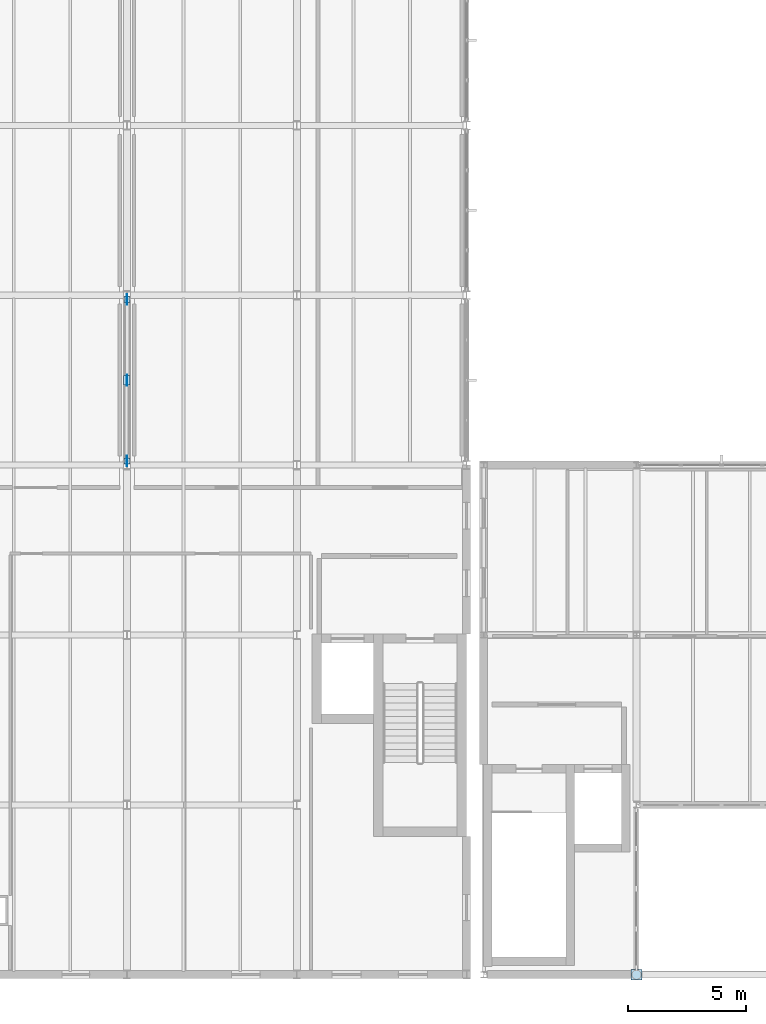
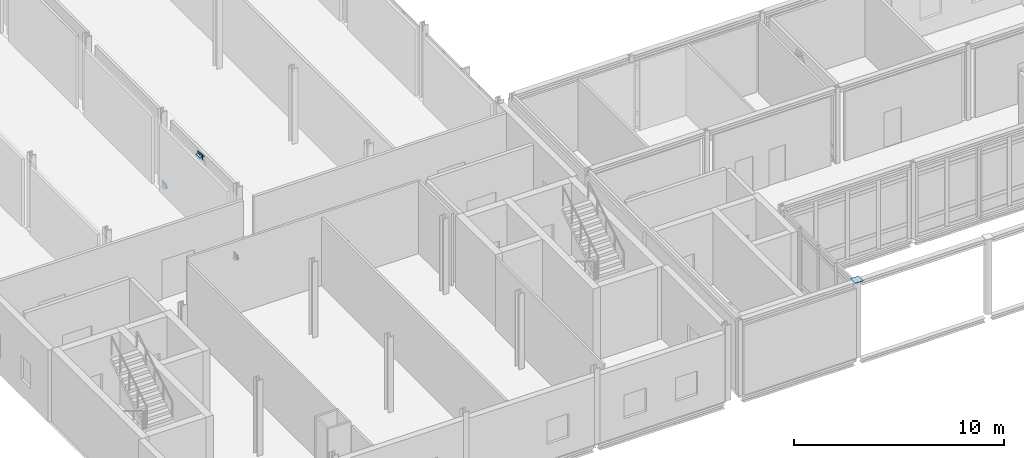
# One storey, part 26 of 43: 7 plates.
"""IFC4 building model written with IfcOpenShell, lengths in metres."""

from ifc_helpers import new_model, si_unit, direction, frame, origin, origin_2d, place, context, subcontext, project, spatial, rectangle, extrude, material, layer, layer_set, type_object, element, save


model = new_model("IFC4")

# Units and contexts
model_context = context("Model", 3, precision=1e-05, world=origin(), true_north=direction((0.0, 1.0)))
body_context = subcontext(model_context, "Body", "Model", "MODEL_VIEW")
ifc_project = project(units=[si_unit("LENGTHUNIT", "METRE"), si_unit("AREAUNIT", "SQUARE_METRE"), si_unit("VOLUMEUNIT", "CUBIC_METRE"), si_unit("PLANEANGLEUNIT", "RADIAN"), si_unit("MASSUNIT", "GRAM", prefix="KILO")], contexts=[model_context])

# Site, building, storey
site_placement = place(None, origin())
site = spatial("IfcSite", under=ifc_project, at=site_placement, CompositionType="ELEMENT")
building_placement = place(site_placement, origin())
building = spatial("IfcBuilding", under=site, at=building_placement, Name="Zarrinpeak Specialist Clinic", CompositionType="ELEMENT")
storey_placement = place(building_placement, frame((0.0, 0.0, 18.39990234375)))
storey = spatial("IfcBuildingStorey", under=building, at=storey_placement, Name="L04", CompositionType="ELEMENT", Elevation=18.39990234375)

# Plates
ifc_material = material(Name="Steel S355", Category="steel")
ifc_layer_1 = layer(ifc_material, 0.01611328125)
ifc_layer_set_1 = layer_set([ifc_layer_1], Name="Steel S355")
plate_type_1 = type_object("IfcPlateType", Name="PL-CAP219", PredefinedType="SHEET", material=ifc_layer_set_1)
for number, where, z_axis, x_axis, name in (
    (1, (14.39990234375, 21.780029296875, 0.0009765625), (0.0, 0.0, 1.0), (1.0, 0.0, 0.0), "V1 L04 Hollow Brace Foot Cap Plate A"),
    (2, (14.39990234375, 28.6201171875, 0.0009765625), (0.0, 0.0, 1.0), (1.0, 0.0, 0.0), "V1 L04 Hollow Brace Foot Cap Plate B"),
):
    element("IfcPlate", number, at=place(storey_placement, frame(where, z_axis=z_axis, x_axis=x_axis)), inside=storey, type_object=plate_type_1, Name=name, PredefinedType="SHEET", context=body_context, shape_type="SweptSolid", body=[
        extrude(rectangle(XDim=0.260009765625, YDim=0.260009765625, at=origin_2d()), origin(), (0.0, 0.0, 1.0), 0.01611328125),
    ])
ifc_layer_2 = layer(ifc_material, 0.02197265625)
ifc_layer_set_2 = layer_set([ifc_layer_2], Name="Steel S355")
plate_type_2 = type_object("IfcPlateType", Name="PL-CAP406", PredefinedType="SHEET", material=ifc_layer_set_2)
plate_1_placement = place(storey_placement, frame((36.0, 0.0, 4.39599609375), z_axis=(0.0, 0.0, 1.0), x_axis=(1.0, 0.0, 0.0)))
element("IfcPlate", 3, at=plate_1_placement, inside=storey, type_object=plate_type_2, Name="L04 Hollow Column Top Cap Plate CCAP-T-126", PredefinedType="SHEET", context=body_context, shape_type="SweptSolid", body=[
    extrude(rectangle(XDim=0.449951171875, YDim=0.449951171875, at=origin_2d()), origin(), (0.0, 0.0, 1.0), 0.02197265625),
])
ifc_layer_3 = layer(ifc_material, 0.02001953125)
ifc_layer_set_3 = layer_set([ifc_layer_3], Name="Steel S355")
plate_type_3 = type_object("IfcPlateType", Name="PL-GN01", PredefinedType="SHEET", material=ifc_layer_set_3)
plate_2_placement = place(storey_placement, frame((14.39990234375, 25.199951171875, 3.7548828125), z_axis=(0.0, 0.0, 1.0), x_axis=(1.0, 0.0, 0.0)))
element("IfcPlate", 4, at=plate_2_placement, inside=storey, type_object=plate_type_3, Name="V1 L04 Chevron Gusset Node Plate GN-V1-L04", PredefinedType="SHEET", context=body_context, shape_type="SweptSolid", body=[
    extrude(rectangle(XDim=0.02001953125, YDim=0.47998046875, at=origin_2d()), origin(), (0.0, 0.0, 1.0), 0.340087890625),
])
ifc_layer_4 = layer(ifc_material, 0.01611328125)
ifc_layer_set_4 = layer_set([ifc_layer_4], Name="Steel S355")
plate_type_4 = type_object("IfcPlateType", Name="PL-GN02", PredefinedType="SHEET", material=ifc_layer_set_4)
plate_3_placement = place(storey_placement, frame((14.39990234375, 25.199951171875, 3.923095703125), z_axis=(0.0, 0.0, 1.0), x_axis=(1.0, 0.0, 0.0)))
element("IfcPlate", 5, at=plate_3_placement, inside=storey, type_object=plate_type_4, Name="V1 L04 Chevron Apex Seal Plate GNCAP-V1-L04", PredefinedType="SHEET", context=body_context, shape_type="SweptSolid", body=[
    extrude(rectangle(XDim=0.280029296875, YDim=0.39990234375, at=origin_2d()), origin(), (0.0, 0.0, 1.0), 0.01611328125),
])
ifc_layer_5 = layer(ifc_material, 0.01806640625)
ifc_layer_set_5 = layer_set([ifc_layer_5], Name="Steel S355")
plate_type_5 = type_object("IfcPlateType", Name="PL-GN03", PredefinedType="SHEET", material=ifc_layer_set_5)
for number, where, z_axis, x_axis, name in (
    (6, (14.39990234375, 21.780029296875, 0.005126953125), (0.0, 0.0, 1.0), (1.0, 0.0, 0.0), "V1 L04 Brace Foot Gusset Plate GNF-V1-L04-A"),
    (7, (14.39990234375, 28.6201171875, 0.005126953125), (0.0, 0.0, 1.0), (1.0, 0.0, 0.0), "V1 L04 Brace Foot Gusset Plate GNF-V1-L04-B"),
):
    element("IfcPlate", number, at=place(storey_placement, frame(where, z_axis=z_axis, x_axis=x_axis)), inside=storey, type_object=plate_type_5, Name=name, PredefinedType="SHEET", context=body_context, shape_type="SweptSolid", body=[
        extrude(rectangle(XDim=0.01806640625, YDim=0.43994140625, at=origin_2d()), origin(), (0.0, 0.0, 1.0), 0.31005859375),
    ])

save(model, "model.ifc")
